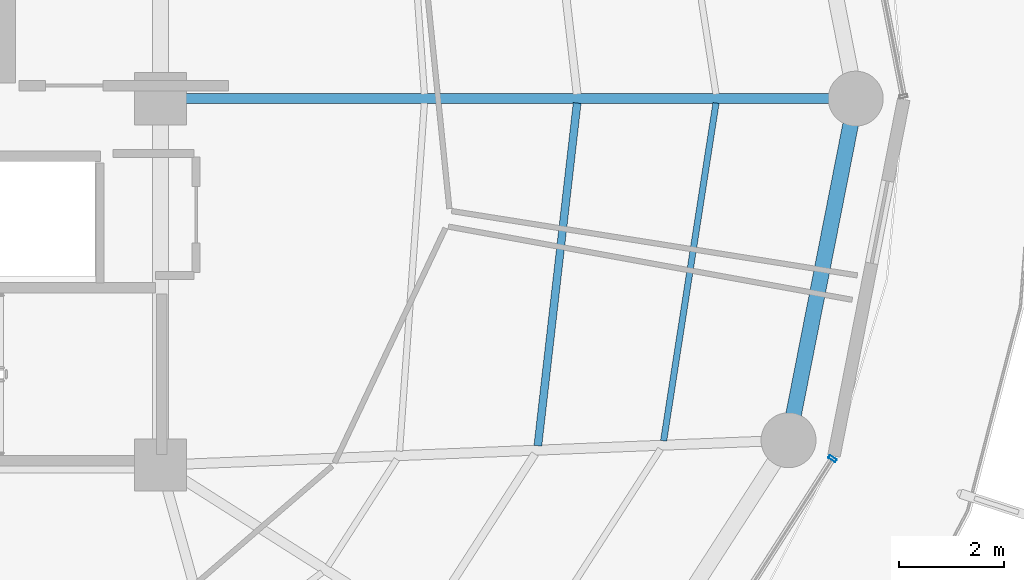
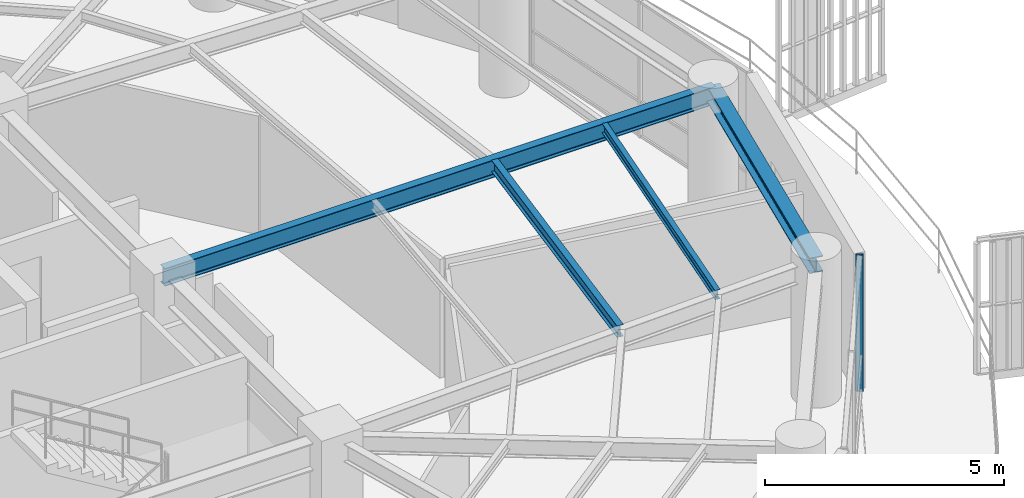
# One storey, part 13 of 31: 4 beams, 1 member, 1 element without a shape of its own.
"""IFC4 building model written with IfcOpenShell, lengths in metres."""

import ifcopenshell
import ifcopenshell.guid

model = None  # the IFC model being written
_history = None  # IfcOwnerHistory: only IFC2X3 demands one
_inside = {}  # id of a spatial element -> (the spatial element, [elements in it])
_under = {}  # id of a project, library or spatial element -> (it, [spatial elements below it])
_declared = {}  # id of a project -> (the project, [libraries it declares])
_typed = {}  # id of a type object -> (the type object, [elements of that type])
_made_of = {}  # id of a material, layer set ... -> (it, [elements and type objects made of it])


def new_model(schema):
    """Start an empty IFC model of exactly this schema.

    Asked for "IFC4X3", IfcOpenShell would pick the latest addendum, in which some entities
    have other attributes; the version numbers below select the first issue.
    IFC2X3 requires an IfcOwnerHistory on every rooted entity: one is made here for all.
    """
    global model, _history
    if schema == "IFC4X3":
        model = ifcopenshell.file(schema_version=(4, 3, 0, 0))
    else:
        model = ifcopenshell.file(schema=schema)
    _inside.clear()
    _under.clear()
    _declared.clear()
    _typed.clear()
    _made_of.clear()
    _history = None
    if model.schema == "IFC2X3":
        org = make("IfcOrganization", Name="unknown")
        user = make(
            "IfcPersonAndOrganization",
            ThePerson=make("IfcPerson", FamilyName="unknown"),
            TheOrganization=org,
        )
        app = make(
            "IfcApplication",
            ApplicationDeveloper=org,
            Version="unknown",
            ApplicationFullName="unknown",
            ApplicationIdentifier="unknown",
        )
        _history = make(
            "IfcOwnerHistory",
            OwningUser=user,
            OwningApplication=app,
            ChangeAction="ADDED",
            CreationDate=0,
        )
    return model


def make(cls, **values):
    """One entity of the class cls with the attributes given. An attribute that is None is left unset."""
    return model.create_entity(
        cls, **{name: value for name, value in values.items() if value is not None}
    )


def rooted(cls, **values):
    """An entity with a GlobalId (a new one), such as an element, a storey or a relation."""
    return make(cls, GlobalId=ifcopenshell.guid.new(), OwnerHistory=_history, **values)


def si_unit(unit_type, name, prefix=None):
    """IfcSIUnit, for example si_unit("LENGTHUNIT", "METRE", prefix="MILLI")."""
    return make("IfcSIUnit", UnitType=unit_type, Prefix=prefix, Name=name)


def assignment(units):
    """IfcUnitAssignment: the units of a project."""
    return None if units is None else make("IfcUnitAssignment", Units=units)


def point(xyz):
    """IfcCartesianPoint."""
    return None if xyz is None else make("IfcCartesianPoint", Coordinates=xyz)


def direction(xyz):
    """IfcDirection."""
    return None if xyz is None else make("IfcDirection", DirectionRatios=xyz)


def frame(location, z_axis=None, x_axis=None):
    """IfcAxis2Placement3D, a coordinate frame: its origin and axes. An axis left out is left unset."""
    return make(
        "IfcAxis2Placement3D",
        Location=point(location),
        Axis=direction(z_axis),
        RefDirection=direction(x_axis),
    )


def frame_2d(location, x_axis=None):
    """IfcAxis2Placement2D, a coordinate frame in the plane: its origin and x axis."""
    return make(
        "IfcAxis2Placement2D", Location=point(location), RefDirection=direction(x_axis)
    )


def origin():
    """The frame at (0, 0, 0) with its axes left unset."""
    return frame((0.0, 0.0, 0.0))


def origin_2d():
    """The frame at (0, 0) in the plane with its x axis left unset."""
    return frame_2d((0.0, 0.0))


def place(relative_to, where):
    """IfcLocalPlacement: puts the frame where relative to a parent placement (None: the world)."""
    return make(
        "IfcLocalPlacement", PlacementRelTo=relative_to, RelativePlacement=where
    )


def context(
    kind, dimensions, precision=None, world=None, true_north=None, identifier=None
):
    """IfcGeometricRepresentationContext, for example the 3D "Model" context."""
    return make(
        "IfcGeometricRepresentationContext",
        ContextIdentifier=identifier,
        ContextType=kind,
        CoordinateSpaceDimension=dimensions,
        Precision=precision,
        WorldCoordinateSystem=world,
        TrueNorth=true_north,
    )


def subcontext(parent, identifier, kind, view, scale=None):
    """IfcGeometricRepresentationSubContext, for example "Body" below "Model"."""
    return make(
        "IfcGeometricRepresentationSubContext",
        ContextIdentifier=identifier,
        ContextType=kind,
        ParentContext=parent,
        TargetScale=scale,
        TargetView=view,
    )


def project(units=None, contexts=None):
    """IfcProject with its units and contexts."""
    return rooted(
        "IfcProject",
        Name="project",
        RepresentationContexts=contexts,
        UnitsInContext=assignment(units),
    )


def spatial(cls, under=None, at=None, **own):
    """A site, building, storey or space (cls), placed at a placement, below another one or the project."""
    s = rooted(cls, ObjectPlacement=at, **own)
    if under is not None:
        _under.setdefault(under.id(), (under, []))[1].append(s)
    return s


def profile(cls, at=None, kind="AREA", **sizes):
    """A parametric profile (cls). Its sizes go by their IFC names, for example OverallWidth=200.0."""
    return make(cls, ProfileType=kind, Position=at, **sizes)


def hollow_rectangle(**sizes):
    """IfcRectangleHollowProfileDef."""
    return profile("IfcRectangleHollowProfileDef", **sizes)


def i_section(**sizes):
    """IfcIShapeProfileDef."""
    return profile("IfcIShapeProfileDef", **sizes)


def extrude(swept, where, along, depth):
    """IfcExtrudedAreaSolid: the profile swept, set in the frame where, extruded along a direction by depth."""
    return make(
        "IfcExtrudedAreaSolid",
        SweptArea=swept,
        Position=where,
        ExtrudedDirection=direction(along),
        Depth=depth,
    )


def shape(context_of_items, identifier, shape_type, items):
    """IfcShapeRepresentation: the items that make up one representation, for example the "Body"."""
    return make(
        "IfcShapeRepresentation",
        ContextOfItems=context_of_items,
        RepresentationIdentifier=identifier,
        RepresentationType=shape_type,
        Items=items,
    )


def material(Name=None, Category=None):
    """IfcMaterial."""
    return make("IfcMaterial", Name=Name, Category=Category)


def layer(
    of_material, thickness, ventilated=None, Name=None, Category=None, Priority=None
):
    """IfcMaterialLayer: one layer of a wall or slab, of a material (None: an air gap)."""
    return make(
        "IfcMaterialLayer",
        Material=of_material,
        LayerThickness=thickness,
        IsVentilated=ventilated,
        Name=Name,
        Category=Category,
        Priority=Priority,
    )


def layer_set(layers, Name=None):
    """IfcMaterialLayerSet."""
    return make("IfcMaterialLayerSet", MaterialLayers=layers, LayerSetName=Name)


def material_profile(
    of_material, cross_section, Name=None, Category=None, Priority=None
):
    """IfcMaterialProfile: a cross section and its material."""
    return make(
        "IfcMaterialProfile",
        Name=Name,
        Material=of_material,
        Profile=cross_section,
        Priority=Priority,
        Category=Category,
    )


def profile_set(profiles, Name=None, composite=None):
    """IfcMaterialProfileSet."""
    return make(
        "IfcMaterialProfileSet",
        Name=Name,
        MaterialProfiles=profiles,
        CompositeProfile=composite,
    )


def made_of(thing, what):
    """Note that an element or type object is made of a material, layer set ...; save() writes the relation."""
    if what is not None:
        _made_of.setdefault(what.id(), (what, []))[1].append(thing)
    return thing


def type_object(cls, material=None, **own):
    """A type object (cls), such as IfcWallType, which elements share."""
    return made_of(rooted(cls, **own), material)


def element(
    cls,
    number,
    at=None,
    inside=None,
    cuts=None,
    type_object=None,
    material=None,
    context=None,
    identifier="Body",
    shape_type=None,
    held_by="IfcProductDefinitionShape",
    body=None,
    shapes=None,
    **own,
):
    """One element of the class cls, such as IfcWall. Its Tag is "e" and its number.

    at: its placement. inside: the storey or other place that contains it. cuts: it is an
    opening in that element (IfcRelVoidsElement). A single representation is given by context,
    identifier, shape_type and body (its items); several are given by shapes. held_by: the class
    of the entity that holds the representations. save() writes the other relations.
    """
    e = rooted(cls, Tag="e%d" % number, ObjectPlacement=at, **own)
    if body is not None:
        shapes = [shape(context, identifier, shape_type, body)]
    if shapes is not None:
        e.Representation = make(held_by, Representations=shapes)
    if inside is not None:
        _inside.setdefault(inside.id(), (inside, []))[1].append(e)
    if cuts is not None:
        rooted(
            "IfcRelVoidsElement", RelatingBuildingElement=cuts, RelatedOpeningElement=e
        )
    if type_object is not None:
        _typed.setdefault(type_object.id(), (type_object, []))[1].append(e)
    return made_of(e, material)


def aggregate(whole, parts):
    """IfcRelAggregates: a whole, such as a stair, and the parts it consists of."""
    return rooted("IfcRelAggregates", RelatingObject=whole, RelatedObjects=parts)


def save(model, path):
    """Write the relations noted so far, then the file.

    IfcRelAggregates (storeys below a building ...), IfcRelContainedInSpatialStructure (elements
    in a storey), IfcRelDefinesByType, IfcRelAssociatesMaterial and IfcRelDeclares: one each for
    every whole, place, type object, material and project.
    """
    for whole, parts in _under.values():
        aggregate(whole, parts)
    for where, things in _inside.values():
        rooted(
            "IfcRelContainedInSpatialStructure",
            RelatedElements=things,
            RelatingStructure=where,
        )
    for kind, things in _typed.values():
        rooted("IfcRelDefinesByType", RelatedObjects=things, RelatingType=kind)
    for what, things in _made_of.values():
        rooted("IfcRelAssociatesMaterial", RelatedObjects=things, RelatingMaterial=what)
    for by, libraries in _declared.values():
        rooted("IfcRelDeclares", RelatingContext=by, RelatedDefinitions=libraries)
    model.write(path)


model = new_model("IFC4")

# Units and contexts
model_context = context("Model", 3, precision=1e-05, world=origin(), true_north=direction((0.0, 1.0)))
body_context = subcontext(model_context, "Body", "Model", "MODEL_VIEW")
ifc_project = project(units=[si_unit("LENGTHUNIT", "METRE"), si_unit("AREAUNIT", "SQUARE_METRE"), si_unit("VOLUMEUNIT", "CUBIC_METRE"), si_unit("PLANEANGLEUNIT", "RADIAN"), si_unit("MASSUNIT", "GRAM", prefix="KILO")], contexts=[model_context])

# Site, building, storey
site_placement = place(None, origin())
site = spatial("IfcSite", under=ifc_project, at=site_placement, CompositionType="ELEMENT")
building_placement = place(site_placement, origin())
building = spatial("IfcBuilding", under=site, at=building_placement, Name="Kelanora Arch Commons", CompositionType="ELEMENT")
storey_placement = place(building_placement, frame((0.0, 0.0, 223.199951171875)))
storey = spatial("IfcBuildingStorey", under=building, at=storey_placement, Name="L57", CompositionType="ELEMENT", Elevation=223.199951171875)

# Beams
ifc_material_1 = material(Name="Steel S355", Category="steel")
ifc_material_profile_1 = material_profile(ifc_material_1, i_section(OverallWidth=0.14990234375, OverallDepth=0.300048828125, WebThickness=0.007080078125, FlangeThickness=0.0107421875, FilletRadius=0.014892578125, at=origin_2d()), Name="IPE300")
ifc_profile_set_1 = profile_set([ifc_material_profile_1], Name="Steel S355")
beam_type_1 = type_object("IfcBeamType", Name="BM-JST-01", PredefinedType="JOIST", material=ifc_profile_set_1)
beam_1_placement = place(storey_placement, frame((89.207763671875, 51.368896484375, 3.340087890625), z_axis=(0.113891408177, 0.993493204377, 0.0), x_axis=(-0.993493204377, 0.113891408177, 0.0)))
element("IfcBeam", 1, at=beam_1_placement, inside=storey, type_object=beam_type_1, Name="Secondary Chord Joist BJB-34 L57", PredefinedType="JOIST", context=body_context, shape_type="SweptSolid", body=[
    extrude(i_section(OverallWidth=0.14990234375, OverallDepth=0.300048828125, WebThickness=0.007080078125, FlangeThickness=0.0107421875, FilletRadius=0.014892578125, at=origin_2d()), origin(), (0.0, 0.0, 1.0), 6.589599609375),
])
ifc_material_profile_2 = material_profile(ifc_material_1, i_section(OverallWidth=0.1201171875, OverallDepth=0.239990234375, WebThickness=0.006103515625, FlangeThickness=0.009765625, FilletRadius=0.014892578125, at=origin_2d()), Name="IPE240")
ifc_profile_set_2 = profile_set([ifc_material_profile_2], Name="Steel S355")
beam_type_2 = type_object("IfcBeamType", Name="BM-JST-02", PredefinedType="JOIST", material=ifc_profile_set_2)
beam_2_placement = place(storey_placement, frame((91.6103515625, 51.46337890625, 3.3701171875), z_axis=(0.153256756152, 0.988186402808, 0.0), x_axis=(-0.988186402808, 0.153256756152, 0.0)))
element("IfcBeam", 2, at=beam_2_placement, inside=storey, type_object=beam_type_2, Name="Secondary Chord Joist BJC-34 L57", PredefinedType="JOIST", context=body_context, shape_type="SweptSolid", body=[
    extrude(i_section(OverallWidth=0.1201171875, OverallDepth=0.239990234375, WebThickness=0.006103515625, FlangeThickness=0.009765625, FilletRadius=0.014892578125, at=origin_2d()), origin(), (0.0, 0.0, 1.0), 6.52978515625),
])
ifc_material_profile_3 = material_profile(ifc_material_1, i_section(OverallWidth=0.18994140625, OverallDepth=0.449951171875, WebThickness=0.009521484375, FlangeThickness=0.0146484375, FilletRadius=0.02099609375, at=origin_2d()), Name="IPE450")
ifc_profile_set_3 = profile_set([ifc_material_profile_3], Name="Steel S355")
beam_type_3 = type_object("IfcBeamType", Name="BM-RAD-Z4", PredefinedType="BEAM", material=ifc_profile_set_3)
beam_3_placement = place(storey_placement, frame((82.0, 58.0, 3.26513671875), z_axis=(1.0, 0.0, 0.0), x_axis=(0.0, 1.0, 0.0)))
element("IfcBeam", 3, at=beam_3_placement, inside=storey, type_object=beam_type_3, Name="Radial Floor Girder BR-00 L57", PredefinedType="BEAM", context=body_context, shape_type="SweptSolid", body=[
    extrude(i_section(OverallWidth=0.18994140625, OverallDepth=0.449951171875, WebThickness=0.009521484375, FlangeThickness=0.0146484375, FilletRadius=0.02099609375, at=origin_2d()), origin(), (0.0, 0.0, 1.0), 13.280029296875),
])
ifc_material_profile_4 = material_profile(ifc_material_1, i_section(OverallWidth=0.300048828125, OverallDepth=0.39990234375, WebThickness=0.013427734375, FlangeThickness=0.02392578125, FilletRadius=0.027099609375, at=origin_2d()), Name="HEB400")
ifc_profile_set_4 = profile_set([ifc_material_profile_4], Name="Steel S355")
beam_type_4 = type_object("IfcBeamType", Name="BM-SPN-Z4", PredefinedType="SPANDREL", material=ifc_profile_set_4)
beam_4_placement = place(storey_placement, frame((93.99658203125, 51.474365234375, 3.2900390625), z_axis=(0.192980724826, 0.981202547819, 0.0), x_axis=(-0.981202547819, 0.192980724826, 0.0)))
element("IfcBeam", 4, at=beam_4_placement, inside=storey, type_object=beam_type_4, Name="Perimeter Spandrel Beam BS-34 L57", PredefinedType="SPANDREL", context=body_context, shape_type="SweptSolid", body=[
    extrude(i_section(OverallWidth=0.300048828125, OverallDepth=0.39990234375, WebThickness=0.013427734375, FlangeThickness=0.02392578125, FilletRadius=0.027099609375, at=origin_2d()), origin(), (0.0, 0.0, 1.0), 6.650634765625),
])

# Curtain wall, member
ifc_material_2 = material(Name="Terracotta ceramic-fritted low-E glass and aluminium", Category="masonry")
ifc_layer = layer(ifc_material_2, 0.175048828125)
ifc_layer_set = layer_set([ifc_layer], Name="Terracotta ceramic-fritted low-E glass and aluminium")
curtain_wall_type = type_object("IfcCurtainWallType", Name="CW-SYS-02", PredefinedType="NOTDEFINED", material=ifc_layer_set)
curtain_wall_placement = place(storey_placement, origin())
curtain_wall = element("IfcCurtainWall", 5, at=curtain_wall_placement, inside=storey, type_object=curtain_wall_type, Name="Unitised Curtain Wall L57-B16", PredefinedType="NOTDEFINED")
ifc_material_3 = material(Name="Powder-coated aluminium terracotta", Category="masonry")
ifc_material_profile_5 = material_profile(ifc_material_3, hollow_rectangle(XDim=0.159912109375, YDim=0.06005859375, WallThickness=0.0048828125, InnerFilletRadius=0.0048828125, OuterFilletRadius=0.010009765625, at=origin_2d()), Name="CWM160x60")
ifc_profile_set_5 = profile_set([ifc_material_profile_5], Name="Powder-coated aluminium terracotta")
member_type = type_object("IfcMemberType", Name="CWM-STD", PredefinedType="MULLION", material=ifc_profile_set_5)
member_placement = place(storey_placement, frame((94.8369140625, 51.121826171875, 0.0), z_axis=(0.0, 0.0, 1.0), x_axis=(-0.84194757539, 0.539559338994, 0.0)))
member = element("IfcMember", 6, at=member_placement, type_object=member_type, Name="CW-02 mullion 3", PredefinedType="MULLION", context=body_context, shape_type="SweptSolid", body=[
    extrude(hollow_rectangle(XDim=0.159912109375, YDim=0.06005859375, WallThickness=0.0048828125, InnerFilletRadius=0.0048828125, OuterFilletRadius=0.010009765625, at=origin_2d()), origin(), (0.0, 0.0, 1.0), 3.47509765625),
])
aggregate(curtain_wall, [member])

save(model, "model.ifc")
